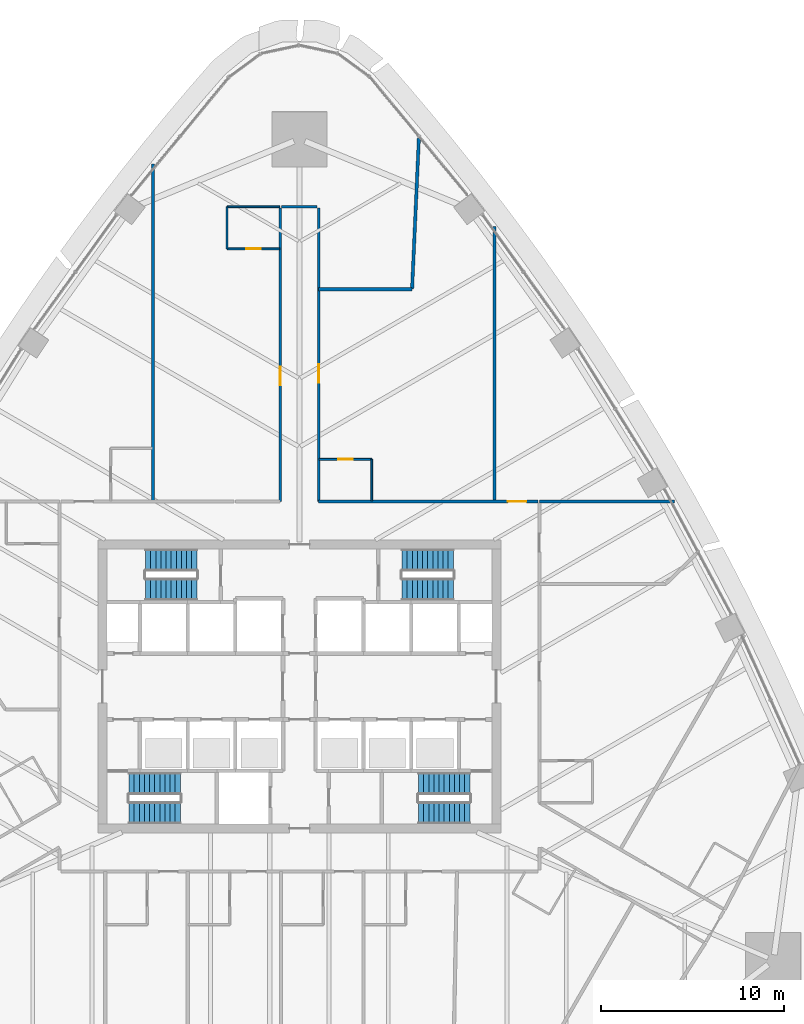
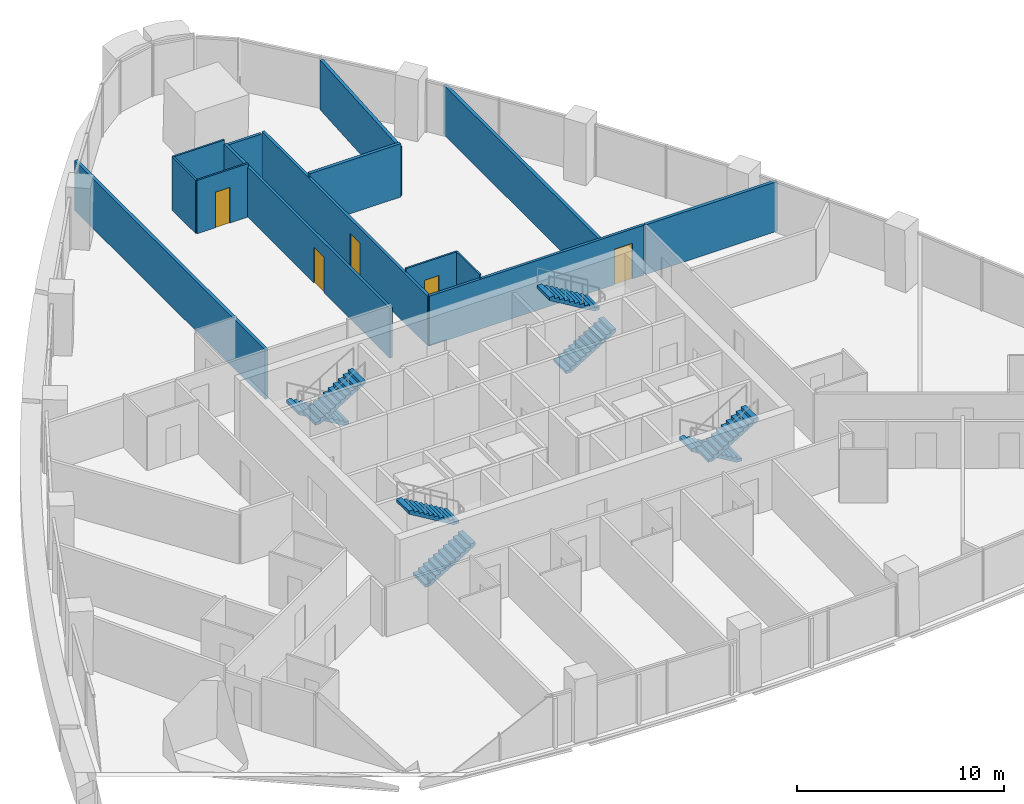
# One storey, part 13 of 17: 14 walls, 8 stair flights, 5 doors, 5 openings, 4 elements without a shape of their own.
"""IFC4 building model written with IfcOpenShell, lengths in metres."""

from ifc_helpers import new_model, si_unit, direction, frame, frame_2d, origin, place, context, subcontext, project, spatial, polyline, rectangle, outline, extrude, material, layer, layer_set, type_object, element, fill, aggregate, save


model = new_model("IFC4")

# Units and contexts
model_context = context("Model", 3, precision=1e-05, world=origin(), true_north=direction((0.0, 1.0)))
body_context = subcontext(model_context, "Body", "Model", "MODEL_VIEW")
ifc_project = project(units=[si_unit("LENGTHUNIT", "METRE"), si_unit("AREAUNIT", "SQUARE_METRE"), si_unit("VOLUMEUNIT", "CUBIC_METRE"), si_unit("PLANEANGLEUNIT", "RADIAN"), si_unit("MASSUNIT", "GRAM", prefix="KILO")], contexts=[model_context])

# Site, building, storey
site_placement = place(None, origin())
site = spatial("IfcSite", under=ifc_project, at=site_placement, CompositionType="ELEMENT")
building_placement = place(site_placement, origin())
building = spatial("IfcBuilding", under=site, at=building_placement, Name="Sierra Prisma Convention Tower", CompositionType="ELEMENT")
storey_placement = place(building_placement, frame((0.0, 0.0, 92.39990234375)))
storey = spatial("IfcBuildingStorey", under=building, at=storey_placement, Name="L19", CompositionType="ELEMENT", Elevation=92.39990234375)

# Wall, opening, door
ifc_material_1 = material(Name="Gypsum board partition", Category="gypsum")
ifc_layer_1 = layer(ifc_material_1, 0.10009765625)
ifc_layer_set_1 = layer_set([ifc_layer_1], Name="Bathroom partition 100")
wall_type_1 = type_object("IfcWallType", Name="Bathroom partition 100", PredefinedType="PARTITIONING", material=ifc_layer_set_1)
wall_1_placement = place(storey_placement, frame((-1.080078125, 23.889404296875, 0.0), z_axis=(0.0, 0.0, 1.0), x_axis=(-1.0, 0.0, 0.0)))
wall_1 = element("IfcWall", 1, at=wall_1_placement, inside=storey, type_object=wall_type_1, Name="Partition L19 bath 16", PredefinedType="PARTITIONING", context=body_context, shape_type="SweptSolid", body=[
    extrude(rectangle(XDim=2.869873046875, YDim=0.10009765625, at=frame_2d((1.43505859375, 0.0))), origin(), (0.0, 0.0, 1.0), 3.150146484375),
])
opening_1_placement = place(wall_1_placement, frame((1.034912109375, 0.0, 0.0)))
opening_1 = element("IfcOpeningElement", 2, at=opening_1_placement, cuts=wall_1, Name="Opening L19-D002", PredefinedType="OPENING", context=body_context, shape_type="SweptSolid", body=[
    extrude(rectangle(XDim=0.800048828125, YDim=2.10009765625, at=frame_2d((0.39990234375, 1.050048828125))), frame((0.0, 0.050048828125, 0.0), z_axis=(0.0, -1.0, 0.0), x_axis=(1.0, 0.0, 0.0)), (0.0, 0.0, 1.0), 0.10009765625),
])
ifc_material_2 = material(Name="Solid core timber door leaf", Category="wood")
door_type_1 = type_object("IfcDoorType", Name="Door 800x2100 plain", OperationType="SINGLE_SWING_LEFT", PredefinedType="DOOR", material=ifc_material_2)
door_1_placement = place(opening_1_placement, origin())
door_1 = element("IfcDoor", 3, at=door_1_placement, inside=storey, type_object=door_type_1, Name="Door L19 6", OperationType="SINGLE_SWING_RIGHT", OverallHeight=2.10009765625, OverallWidth=0.800048828125, PredefinedType="DOOR", context=body_context, shape_type="SweptSolid", body=[
    extrude(rectangle(XDim=0.800048828125, YDim=2.10009765625, at=frame_2d((0.39990234375, 1.050048828125))), frame((0.0, 0.02490234375, 0.0), z_axis=(0.0, -1.0, 0.0), x_axis=(1.0, 0.0, 0.0)), (0.0, 0.0, 1.0), 0.050048828125),
])
fill(opening_1, door_1)

# Walls
wall_2_placement = place(storey_placement, frame((-3.949951171875, 23.889404296875, 0.0), z_axis=(0.0, 0.0, 1.0), x_axis=(0.0, 1.0, 0.0)))
element("IfcWall", 4, at=wall_2_placement, inside=storey, type_object=wall_type_1, Name="Partition L19 bath 17", PredefinedType="PARTITIONING", context=body_context, shape_type="SweptSolid", body=[
    extrude(rectangle(XDim=2.2998046875, YDim=0.10009765625, at=frame_2d((1.14990234375, 0.0))), origin(), (0.0, 0.0, 1.0), 3.150146484375),
])
wall_3_placement = place(storey_placement, frame((-3.949951171875, 26.189208984375, 0.0), z_axis=(0.0, 0.0, 1.0), x_axis=(1.0, 0.0, 0.0)))
element("IfcWall", 5, at=wall_3_placement, inside=storey, type_object=wall_type_1, Name="Partition L19 bath 18", PredefinedType="PARTITIONING", context=body_context, shape_type="SweptSolid", body=[
    extrude(rectangle(XDim=2.869873046875, YDim=0.10009765625, at=frame_2d((1.43505859375, 0.0))), origin(), (0.0, 0.0, 1.0), 3.150146484375),
])

# Wall, opening, door
wall_4_placement = place(storey_placement, frame((1.080078125, 12.39990234375, 0.0), z_axis=(0.0, 0.0, 1.0), x_axis=(1.0, 0.0, 0.0)))
wall_4 = element("IfcWall", 6, at=wall_4_placement, inside=storey, type_object=wall_type_1, Name="Partition L19 bath 21", PredefinedType="PARTITIONING", context=body_context, shape_type="SweptSolid", body=[
    extrude(rectangle(XDim=2.869873046875, YDim=0.10009765625, at=frame_2d((1.43505859375, 0.0))), origin(), (0.0, 0.0, 1.0), 3.150146484375),
])
opening_2_placement = place(wall_4_placement, frame((1.034912109375, 0.0, 0.0)))
opening_2 = element("IfcOpeningElement", 7, at=opening_2_placement, cuts=wall_4, Name="Opening L19-D001", PredefinedType="OPENING", context=body_context, shape_type="SweptSolid", body=[
    extrude(rectangle(XDim=0.800048828125, YDim=2.10009765625, at=frame_2d((0.39990234375, 1.050048828125))), frame((0.0, 0.050048828125, 0.0), z_axis=(0.0, -1.0, 0.0), x_axis=(1.0, 0.0, 0.0)), (0.0, 0.0, 1.0), 0.10009765625),
])
door_2_placement = place(opening_2_placement, origin())
door_2 = element("IfcDoor", 8, at=door_2_placement, inside=storey, type_object=door_type_1, Name="Door L19 4", OperationType="SINGLE_SWING_RIGHT", OverallHeight=2.10009765625, OverallWidth=0.800048828125, PredefinedType="DOOR", context=body_context, shape_type="SweptSolid", body=[
    extrude(rectangle(XDim=0.800048828125, YDim=2.10009765625, at=frame_2d((0.39990234375, 1.050048828125))), frame((0.0, 0.02490234375, 0.0), z_axis=(0.0, -1.0, 0.0), x_axis=(1.0, 0.0, 0.0)), (0.0, 0.0, 1.0), 0.050048828125),
])
fill(opening_2, door_2)

# Wall
wall_5_placement = place(storey_placement, frame((3.949951171875, 12.39990234375, 0.0), z_axis=(0.0, 0.0, 1.0), x_axis=(0.0, -1.0, 0.0)))
element("IfcWall", 9, at=wall_5_placement, inside=storey, type_object=wall_type_1, Name="Partition L19 bath 22", PredefinedType="PARTITIONING", context=body_context, shape_type="SweptSolid", body=[
    extrude(rectangle(XDim=2.27001953125, YDim=0.10009765625, at=frame_2d((1.135009765625, 0.0))), origin(), (0.0, 0.0, 1.0), 3.150146484375),
])

# Wall, opening, door
ifc_material_3 = material(Name="Gypsum board partition", Category="gypsum")
ifc_layer_2 = layer(ifc_material_3, 0.14990234375)
ifc_layer_set_2 = layer_set([ifc_layer_2], Name="Corridor wall 150 gypsum EI 60")
wall_type_2 = type_object("IfcWallType", Name="Corridor wall 150 gypsum EI 60", PredefinedType="PARTITIONING", material=ifc_layer_set_2)
wall_6_placement = place(storey_placement, frame((-1.050048828125, 26.109375, 0.0), z_axis=(0.0, 0.0, 1.0), x_axis=(0.0, -1.0, 0.0)))
wall_6 = element("IfcWall", 10, at=wall_6_placement, inside=storey, type_object=wall_type_2, Name="Partition L19 corr 8", PredefinedType="PARTITIONING", context=body_context, shape_type="SweptSolid", body=[
    extrude(rectangle(XDim=16.00927734375, YDim=0.14990234375, at=frame_2d((8.004638671875, 0.0))), origin(), (0.0, 0.0, 1.0), 2.947021484375),
])
opening_3_placement = place(wall_6_placement, frame((8.66455078125, 0.0, 0.0)))
opening_3 = element("IfcOpeningElement", 11, at=opening_3_placement, cuts=wall_6, Name="Opening L19-D040", PredefinedType="OPENING", context=body_context, shape_type="SweptSolid", body=[
    extrude(rectangle(XDim=1.0, YDim=2.10009765625, at=frame_2d((0.5, 1.050048828125))), frame((0.0, 0.074951171875, 0.0), z_axis=(0.0, -1.0, 0.0), x_axis=(1.0, 0.0, 0.0)), (0.0, 0.0, 1.0), 0.14990234375),
])
ifc_material_4 = material(Name="Steel fire door leaf", Category="steel")
door_type_2 = type_object("IfcDoorType", Name="Door 1000x2100 FD30S", OperationType="SINGLE_SWING_LEFT", PredefinedType="DOOR", material=ifc_material_4)
door_3_placement = place(opening_3_placement, origin())
door_3 = element("IfcDoor", 12, at=door_3_placement, inside=storey, type_object=door_type_2, Name="Door L19 5", OperationType="SINGLE_SWING_LEFT", OverallHeight=2.10009765625, OverallWidth=1.0, PredefinedType="DOOR", context=body_context, shape_type="SweptSolid", body=[
    extrude(rectangle(XDim=1.0, YDim=2.10009765625, at=frame_2d((0.5, 1.050048828125))), frame((0.0, 0.02490234375, 0.0), z_axis=(0.0, -1.0, 0.0), x_axis=(1.0, 0.0, 0.0)), (0.0, 0.0, 1.0), 0.050048828125),
])
fill(opening_3, door_3)

# Wall
wall_7_placement = place(storey_placement, frame((0.969970703125, 26.189208984375, 0.0), z_axis=(0.0, 0.0, 1.0), x_axis=(-1.0, 0.0, 0.0)))
element("IfcWall", 13, at=wall_7_placement, inside=storey, type_object=wall_type_2, Name="Partition L19 corr 10", PredefinedType="PARTITIONING", context=body_context, shape_type="SweptSolid", body=[
    extrude(rectangle(XDim=1.93994140625, YDim=0.14990234375, at=frame_2d((0.969970703125, 0.0))), origin(), (0.0, 0.0, 1.0), 2.797119140625),
])

# Wall, opening, door
wall_8_placement = place(storey_placement, frame((13.02001953125, 10.10009765625, 0.0), z_axis=(0.0, 0.0, 1.0), x_axis=(-1.0, 0.0, 0.0)))
wall_8 = element("IfcWall", 14, at=wall_8_placement, inside=storey, type_object=wall_type_2, Name="Partition L19 corr 11", PredefinedType="PARTITIONING", context=body_context, shape_type="SweptSolid", body=[
    extrude(rectangle(XDim=11.969970703125, YDim=0.14990234375, at=frame_2d((5.98486328125, 0.0))), origin(), (0.0, 0.0, 1.0), 2.947021484375),
])
opening_4_placement = place(wall_8_placement, frame((0.635009765625, 0.0, 0.0)))
opening_4 = element("IfcOpeningElement", 15, at=opening_4_placement, cuts=wall_8, Name="Opening L19-D038", PredefinedType="OPENING", context=body_context, shape_type="SweptSolid", body=[
    extrude(rectangle(XDim=1.0, YDim=2.10009765625, at=frame_2d((0.5, 1.050048828125))), frame((0.0, 0.074951171875, 0.0), z_axis=(0.0, -1.0, 0.0), x_axis=(1.0, 0.0, 0.0)), (0.0, 0.0, 1.0), 0.14990234375),
])
door_4_placement = place(opening_4_placement, origin())
door_4 = element("IfcDoor", 16, at=door_4_placement, inside=storey, type_object=door_type_2, Name="Door L19 2", OperationType="SINGLE_SWING_LEFT", OverallHeight=2.10009765625, OverallWidth=1.0, PredefinedType="DOOR", context=body_context, shape_type="SweptSolid", body=[
    extrude(rectangle(XDim=1.0, YDim=2.10009765625, at=frame_2d((0.5, 1.050048828125))), frame((0.0, 0.02490234375, 0.0), z_axis=(0.0, -1.0, 0.0), x_axis=(1.0, 0.0, 0.0)), (0.0, 0.0, 1.0), 0.050048828125),
])
fill(opening_4, door_4)

wall_9_placement = place(storey_placement, frame((1.050048828125, 10.10009765625, 0.0), z_axis=(0.0, 0.0, 1.0), x_axis=(0.0, 1.0, 0.0)))
wall_9 = element("IfcWall", 17, at=wall_9_placement, inside=storey, type_object=wall_type_2, Name="Partition L19 corr 12", PredefinedType="PARTITIONING", context=body_context, shape_type="SweptSolid", body=[
    extrude(rectangle(XDim=16.00927734375, YDim=0.14990234375, at=frame_2d((8.004638671875, 0.0))), origin(), (0.0, 0.0, 1.0), 2.947021484375),
])
opening_5_placement = place(wall_9_placement, frame((6.49462890625, 0.0, 0.0)))
opening_5 = element("IfcOpeningElement", 18, at=opening_5_placement, cuts=wall_9, Name="Opening L19-D039", PredefinedType="OPENING", context=body_context, shape_type="SweptSolid", body=[
    extrude(rectangle(XDim=1.0, YDim=2.10009765625, at=frame_2d((0.5, 1.050048828125))), frame((0.0, 0.074951171875, 0.0), z_axis=(0.0, -1.0, 0.0), x_axis=(1.0, 0.0, 0.0)), (0.0, 0.0, 1.0), 0.14990234375),
])
door_5_placement = place(opening_5_placement, origin())
door_5 = element("IfcDoor", 19, at=door_5_placement, inside=storey, type_object=door_type_2, Name="Door L19 3", OperationType="SINGLE_SWING_RIGHT", OverallHeight=2.10009765625, OverallWidth=1.0, PredefinedType="DOOR", context=body_context, shape_type="SweptSolid", body=[
    extrude(rectangle(XDim=1.0, YDim=2.10009765625, at=frame_2d((0.5, 1.050048828125))), frame((0.0, 0.02490234375, 0.0), z_axis=(0.0, -1.0, 0.0), x_axis=(1.0, 0.0, 0.0)), (0.0, 0.0, 1.0), 0.050048828125),
])
fill(opening_5, door_5)

# Walls
ifc_material_5 = material(Name="Acoustic gypsum board partition", Category="gypsum")
ifc_layer_3 = layer(ifc_material_5, 0.175048828125)
ifc_layer_set_3 = layer_set([ifc_layer_3], Name="Guest room party wall 175 acoustic EI 60")
wall_type_3 = type_object("IfcWallType", Name="Guest room party wall 175 acoustic EI 60", PredefinedType="PARTITIONING", material=ifc_layer_set_3)
wall_10_placement = place(storey_placement, frame((-8.0, 10.10009765625, 0.0), z_axis=(0.0, 0.0, 1.0), x_axis=(0.0, 1.0, 0.0)))
element("IfcWall", 20, at=wall_10_placement, inside=storey, type_object=wall_type_3, Name="Partition L19 hparty 8", PredefinedType="PARTITIONING", context=body_context, shape_type="SweptSolid", body=[
    extrude(rectangle(XDim=18.434814453125, YDim=0.175048828125, at=frame_2d((9.21728515625, 0.0))), origin(), (0.0, 0.0, 1.0), 2.93408203125),
])
wall_11_placement = place(storey_placement, frame((1.050048828125, 21.689208984375, 0.0), z_axis=(0.0, 0.0, 1.0), x_axis=(1.0, 0.0, 0.0)))
element("IfcWall", 21, at=wall_11_placement, inside=storey, type_object=wall_type_3, Name="Partition L19 hparty 11", PredefinedType="PARTITIONING", context=body_context, shape_type="SweptSolid", body=[
    extrude(rectangle(XDim=5.099853515625, YDim=0.175048828125, at=frame_2d((2.5498046875, 0.0))), origin(), (0.0, 0.0, 1.0), 3.150146484375),
])
wall_12_placement = place(storey_placement, frame((6.14990234375, 21.689208984375, 0.0), z_axis=(0.0, 0.0, 1.0), x_axis=(0.044963221092, 0.998988642953, 0.0)))
element("IfcWall", 22, at=wall_12_placement, inside=storey, type_object=wall_type_3, Name="Partition L19 hparty 12", PredefinedType="PARTITIONING", context=body_context, shape_type="SweptSolid", body=[
    extrude(rectangle(XDim=8.247802734375, YDim=0.175048828125, at=frame_2d((4.1240234375, 0.0))), origin(), (0.0, 0.0, 1.0), 2.93408203125),
])
wall_13_placement = place(storey_placement, frame((10.64990234375, 25.1240234375, 0.0), z_axis=(0.0, 0.0, 1.0), x_axis=(0.0, -1.0, 0.0)))
element("IfcWall", 23, at=wall_13_placement, inside=storey, type_object=wall_type_3, Name="Partition L19 hparty 15", PredefinedType="PARTITIONING", context=body_context, shape_type="SweptSolid", body=[
    extrude(rectangle(XDim=15.02392578125, YDim=0.175048828125, at=frame_2d((7.511962890625, 0.0))), origin(), (0.0, 0.0, 1.0), 2.93408203125),
])
wall_14_placement = place(storey_placement, frame((13.10009765625, 10.10009765625, 0.0), z_axis=(0.0, 0.0, 1.0), x_axis=(1.0, 0.0, 0.0)))
element("IfcWall", 24, at=wall_14_placement, inside=storey, type_object=wall_type_3, Name="Partition L19 hparty 20", PredefinedType="PARTITIONING", context=body_context, shape_type="SweptSolid", body=[
    extrude(rectangle(XDim=7.3671875, YDim=0.175048828125, at=frame_2d((3.68359375, 0.0))), origin(), (0.0, 0.0, 1.0), 2.93408203125),
])

# Stair, stair flights
ifc_material_6 = material(Name="Concrete C30/37", Category="concrete")
stair_type = type_object("IfcStairType", Name="Stair dog-leg 1200 RC", PredefinedType="HALF_TURN_STAIR", material=ifc_material_6)
stair_1_placement = place(storey_placement, origin())
stair_1 = element("IfcStair", 25, at=stair_1_placement, inside=storey, type_object=stair_type, Name="L19 S1", PredefinedType="HALF_TURN_STAIR")
ifc_material_7 = material(Name="Concrete C30/37", Category="concrete")
stair_flight_type = type_object("IfcStairFlightType", Name="Stair flight RC 1200", PredefinedType="STRAIGHT", material=ifc_material_7)
stair_flight_1_placement = place(storey_placement, frame((-9.300048828125, -6.89990234375, 0.0), z_axis=(0.0, 0.0, 1.0), x_axis=(1.0, 0.0, 0.0)))
stair_flight_1 = element("IfcStairFlight", 26, at=stair_flight_1_placement, type_object=stair_flight_type, Name="S1 flight 1", NumberOfRisers=11, NumberOfTreads=10, PredefinedType="STRAIGHT", RiserHeight=0.168181818, TreadLength=0.28, context=body_context, shape_type="SweptSolid", body=[
    extrude(outline(polyline([(0.0, 0.0), (0.0, 0.168212890625), (0.280029296875, 0.168212890625), (0.280029296875, 0.33642578125), (0.56005859375, 0.33642578125), (0.56005859375, 0.504638671875), (0.840087890625, 0.504638671875), (0.840087890625, 0.672607421875), (1.1201171875, 0.672607421875), (1.1201171875, 0.8408203125), (1.39990234375, 0.8408203125), (1.39990234375, 1.009033203125), (1.679931640625, 1.009033203125), (1.679931640625, 1.17724609375), (1.9599609375, 1.17724609375), (1.9599609375, 1.345458984375), (2.239990234375, 1.345458984375), (2.239990234375, 1.513671875), (2.52001953125, 1.513671875), (2.52001953125, 1.681884765625), (2.800048828125, 1.681884765625), (2.800048828125, 1.85009765625), (2.800048828125, 1.5068359375), (0.291015625, 0.0), (0.0, 0.0)])), frame((0.0, 0.60009765625, 0.0), z_axis=(0.0, -1.0, 0.0), x_axis=(1.0, 0.0, 0.0)), (0.0, 0.0, 1.0), 1.199951171875),
])
stair_flight_2_placement = place(storey_placement, frame((-6.5, -5.300048828125, 1.85009765625), z_axis=(0.0, 0.0, 1.0), x_axis=(-1.0, 0.0, 0.0)))
stair_flight_2 = element("IfcStairFlight", 27, at=stair_flight_2_placement, type_object=stair_flight_type, Name="S1 flight 2", NumberOfRisers=11, NumberOfTreads=10, PredefinedType="STRAIGHT", RiserHeight=0.168181818, TreadLength=0.28, context=body_context, shape_type="SweptSolid", body=[
    extrude(outline(polyline([(0.0, 0.0), (0.0, 0.168212890625), (0.280029296875, 0.168212890625), (0.280029296875, 0.33642578125), (0.56005859375, 0.33642578125), (0.56005859375, 0.504638671875), (0.840087890625, 0.504638671875), (0.840087890625, 0.672607421875), (1.1201171875, 0.672607421875), (1.1201171875, 0.8408203125), (1.39990234375, 0.8408203125), (1.39990234375, 1.009033203125), (1.679931640625, 1.009033203125), (1.679931640625, 1.17724609375), (1.9599609375, 1.17724609375), (1.9599609375, 1.345458984375), (2.239990234375, 1.345458984375), (2.239990234375, 1.513671875), (2.52001953125, 1.513671875), (2.52001953125, 1.681884765625), (2.800048828125, 1.681884765625), (2.800048828125, 1.85009765625), (2.800048828125, 1.5068359375), (0.291015625, 0.0), (0.0, 0.0)])), frame((0.0, 0.60009765625, 0.0), z_axis=(0.0, -1.0, 0.0), x_axis=(1.0, 0.0, 0.0)), (0.0, 0.0, 1.0), 1.199951171875),
])
aggregate(stair_1, [stair_flight_1, stair_flight_2])

stair_2_placement = place(storey_placement, origin())
stair_2 = element("IfcStair", 28, at=stair_2_placement, inside=storey, type_object=stair_type, Name="L19 S2", PredefinedType="HALF_TURN_STAIR")
stair_flight_3_placement = place(storey_placement, frame((9.300048828125, -5.300048828125, 0.0), z_axis=(0.0, 0.0, 1.0), x_axis=(-1.0, 0.0, 0.0)))
stair_flight_3 = element("IfcStairFlight", 29, at=stair_flight_3_placement, type_object=stair_flight_type, Name="S2 flight 1", NumberOfRisers=11, NumberOfTreads=10, PredefinedType="STRAIGHT", RiserHeight=0.168181818, TreadLength=0.28, context=body_context, shape_type="SweptSolid", body=[
    extrude(outline(polyline([(0.0, 0.0), (0.0, 0.168212890625), (0.280029296875, 0.168212890625), (0.280029296875, 0.33642578125), (0.56005859375, 0.33642578125), (0.56005859375, 0.504638671875), (0.840087890625, 0.504638671875), (0.840087890625, 0.672607421875), (1.1201171875, 0.672607421875), (1.1201171875, 0.8408203125), (1.39990234375, 0.8408203125), (1.39990234375, 1.009033203125), (1.679931640625, 1.009033203125), (1.679931640625, 1.17724609375), (1.9599609375, 1.17724609375), (1.9599609375, 1.345458984375), (2.239990234375, 1.345458984375), (2.239990234375, 1.513671875), (2.52001953125, 1.513671875), (2.52001953125, 1.681884765625), (2.800048828125, 1.681884765625), (2.800048828125, 1.85009765625), (2.800048828125, 1.5068359375), (0.291015625, 0.0), (0.0, 0.0)])), frame((0.0, 0.60009765625, 0.0), z_axis=(0.0, -1.0, 0.0), x_axis=(1.0, 0.0, 0.0)), (0.0, 0.0, 1.0), 1.199951171875),
])
stair_flight_4_placement = place(storey_placement, frame((6.5, -6.89990234375, 1.85009765625), z_axis=(0.0, 0.0, 1.0), x_axis=(1.0, 0.0, 0.0)))
stair_flight_4 = element("IfcStairFlight", 30, at=stair_flight_4_placement, type_object=stair_flight_type, Name="S2 flight 2", NumberOfRisers=11, NumberOfTreads=10, PredefinedType="STRAIGHT", RiserHeight=0.168181818, TreadLength=0.28, context=body_context, shape_type="SweptSolid", body=[
    extrude(outline(polyline([(0.0, 0.0), (0.0, 0.168212890625), (0.280029296875, 0.168212890625), (0.280029296875, 0.33642578125), (0.56005859375, 0.33642578125), (0.56005859375, 0.504638671875), (0.840087890625, 0.504638671875), (0.840087890625, 0.672607421875), (1.1201171875, 0.672607421875), (1.1201171875, 0.8408203125), (1.39990234375, 0.8408203125), (1.39990234375, 1.009033203125), (1.679931640625, 1.009033203125), (1.679931640625, 1.17724609375), (1.9599609375, 1.17724609375), (1.9599609375, 1.345458984375), (2.239990234375, 1.345458984375), (2.239990234375, 1.513671875), (2.52001953125, 1.513671875), (2.52001953125, 1.681884765625), (2.800048828125, 1.681884765625), (2.800048828125, 1.85009765625), (2.800048828125, 1.5068359375), (0.291015625, 0.0), (0.0, 0.0)])), frame((0.0, 0.60009765625, 0.0), z_axis=(0.0, -1.0, 0.0), x_axis=(1.0, 0.0, 0.0)), (0.0, 0.0, 1.0), 1.199951171875),
])
aggregate(stair_2, [stair_flight_3, stair_flight_4])

stair_3_placement = place(storey_placement, origin())
stair_3 = element("IfcStair", 31, at=stair_3_placement, inside=storey, type_object=stair_type, Name="L19 S3", PredefinedType="HALF_TURN_STAIR")
stair_flight_5_placement = place(storey_placement, frame((-5.60009765625, 6.89990234375, 0.0), z_axis=(0.0, 0.0, 1.0), x_axis=(-1.0, 0.0, 0.0)))
stair_flight_5 = element("IfcStairFlight", 32, at=stair_flight_5_placement, type_object=stair_flight_type, Name="S3 flight 1", NumberOfRisers=11, NumberOfTreads=10, PredefinedType="STRAIGHT", RiserHeight=0.168181818, TreadLength=0.28, context=body_context, shape_type="SweptSolid", body=[
    extrude(outline(polyline([(0.0, 0.0), (0.0, 0.168212890625), (0.280029296875, 0.168212890625), (0.280029296875, 0.33642578125), (0.56005859375, 0.33642578125), (0.56005859375, 0.504638671875), (0.840087890625, 0.504638671875), (0.840087890625, 0.672607421875), (1.1201171875, 0.672607421875), (1.1201171875, 0.8408203125), (1.39990234375, 0.8408203125), (1.39990234375, 1.009033203125), (1.679931640625, 1.009033203125), (1.679931640625, 1.17724609375), (1.9599609375, 1.17724609375), (1.9599609375, 1.345458984375), (2.239990234375, 1.345458984375), (2.239990234375, 1.513671875), (2.52001953125, 1.513671875), (2.52001953125, 1.681884765625), (2.800048828125, 1.681884765625), (2.800048828125, 1.85009765625), (2.800048828125, 1.5068359375), (0.291015625, 0.0), (0.0, 0.0)])), frame((0.0, 0.60009765625, 0.0), z_axis=(0.0, -1.0, 0.0), x_axis=(1.0, 0.0, 0.0)), (0.0, 0.0, 1.0), 1.199951171875),
])
stair_flight_6_placement = place(storey_placement, frame((-8.39990234375, 5.300048828125, 1.85009765625), z_axis=(0.0, 0.0, 1.0), x_axis=(1.0, 0.0, 0.0)))
stair_flight_6 = element("IfcStairFlight", 33, at=stair_flight_6_placement, type_object=stair_flight_type, Name="S3 flight 2", NumberOfRisers=11, NumberOfTreads=10, PredefinedType="STRAIGHT", RiserHeight=0.168181818, TreadLength=0.28, context=body_context, shape_type="SweptSolid", body=[
    extrude(outline(polyline([(0.0, 0.0), (0.0, 0.168212890625), (0.280029296875, 0.168212890625), (0.280029296875, 0.33642578125), (0.56005859375, 0.33642578125), (0.56005859375, 0.504638671875), (0.840087890625, 0.504638671875), (0.840087890625, 0.672607421875), (1.1201171875, 0.672607421875), (1.1201171875, 0.8408203125), (1.39990234375, 0.8408203125), (1.39990234375, 1.009033203125), (1.679931640625, 1.009033203125), (1.679931640625, 1.17724609375), (1.9599609375, 1.17724609375), (1.9599609375, 1.345458984375), (2.239990234375, 1.345458984375), (2.239990234375, 1.513671875), (2.52001953125, 1.513671875), (2.52001953125, 1.681884765625), (2.800048828125, 1.681884765625), (2.800048828125, 1.85009765625), (2.800048828125, 1.5068359375), (0.291015625, 0.0), (0.0, 0.0)])), frame((0.0, 0.60009765625, 0.0), z_axis=(0.0, -1.0, 0.0), x_axis=(1.0, 0.0, 0.0)), (0.0, 0.0, 1.0), 1.199951171875),
])
aggregate(stair_3, [stair_flight_5, stair_flight_6])

stair_4_placement = place(storey_placement, origin())
stair_4 = element("IfcStair", 34, at=stair_4_placement, inside=storey, type_object=stair_type, Name="L19 S4", PredefinedType="HALF_TURN_STAIR")
stair_flight_7_placement = place(storey_placement, frame((5.60009765625, 5.300048828125, 0.0), z_axis=(0.0, 0.0, 1.0), x_axis=(1.0, 0.0, 0.0)))
stair_flight_7 = element("IfcStairFlight", 35, at=stair_flight_7_placement, type_object=stair_flight_type, Name="S4 flight 1", NumberOfRisers=11, NumberOfTreads=10, PredefinedType="STRAIGHT", RiserHeight=0.168181818, TreadLength=0.28, context=body_context, shape_type="SweptSolid", body=[
    extrude(outline(polyline([(0.0, 0.0), (0.0, 0.168212890625), (0.280029296875, 0.168212890625), (0.280029296875, 0.33642578125), (0.56005859375, 0.33642578125), (0.56005859375, 0.504638671875), (0.840087890625, 0.504638671875), (0.840087890625, 0.672607421875), (1.1201171875, 0.672607421875), (1.1201171875, 0.8408203125), (1.39990234375, 0.8408203125), (1.39990234375, 1.009033203125), (1.679931640625, 1.009033203125), (1.679931640625, 1.17724609375), (1.9599609375, 1.17724609375), (1.9599609375, 1.345458984375), (2.239990234375, 1.345458984375), (2.239990234375, 1.513671875), (2.52001953125, 1.513671875), (2.52001953125, 1.681884765625), (2.800048828125, 1.681884765625), (2.800048828125, 1.85009765625), (2.800048828125, 1.5068359375), (0.291015625, 0.0), (0.0, 0.0)])), frame((0.0, 0.60009765625, 0.0), z_axis=(0.0, -1.0, 0.0), x_axis=(1.0, 0.0, 0.0)), (0.0, 0.0, 1.0), 1.199951171875),
])
stair_flight_8_placement = place(storey_placement, frame((8.39990234375, 6.89990234375, 1.85009765625), z_axis=(0.0, 0.0, 1.0), x_axis=(-1.0, 0.0, 0.0)))
stair_flight_8 = element("IfcStairFlight", 36, at=stair_flight_8_placement, type_object=stair_flight_type, Name="S4 flight 2", NumberOfRisers=11, NumberOfTreads=10, PredefinedType="STRAIGHT", RiserHeight=0.168181818, TreadLength=0.28, context=body_context, shape_type="SweptSolid", body=[
    extrude(outline(polyline([(0.0, 0.0), (0.0, 0.168212890625), (0.280029296875, 0.168212890625), (0.280029296875, 0.33642578125), (0.56005859375, 0.33642578125), (0.56005859375, 0.504638671875), (0.840087890625, 0.504638671875), (0.840087890625, 0.672607421875), (1.1201171875, 0.672607421875), (1.1201171875, 0.8408203125), (1.39990234375, 0.8408203125), (1.39990234375, 1.009033203125), (1.679931640625, 1.009033203125), (1.679931640625, 1.17724609375), (1.9599609375, 1.17724609375), (1.9599609375, 1.345458984375), (2.239990234375, 1.345458984375), (2.239990234375, 1.513671875), (2.52001953125, 1.513671875), (2.52001953125, 1.681884765625), (2.800048828125, 1.681884765625), (2.800048828125, 1.85009765625), (2.800048828125, 1.5068359375), (0.291015625, 0.0), (0.0, 0.0)])), frame((0.0, 0.60009765625, 0.0), z_axis=(0.0, -1.0, 0.0), x_axis=(1.0, 0.0, 0.0)), (0.0, 0.0, 1.0), 1.199951171875),
])
aggregate(stair_4, [stair_flight_7, stair_flight_8])

save(model, "model.ifc")
